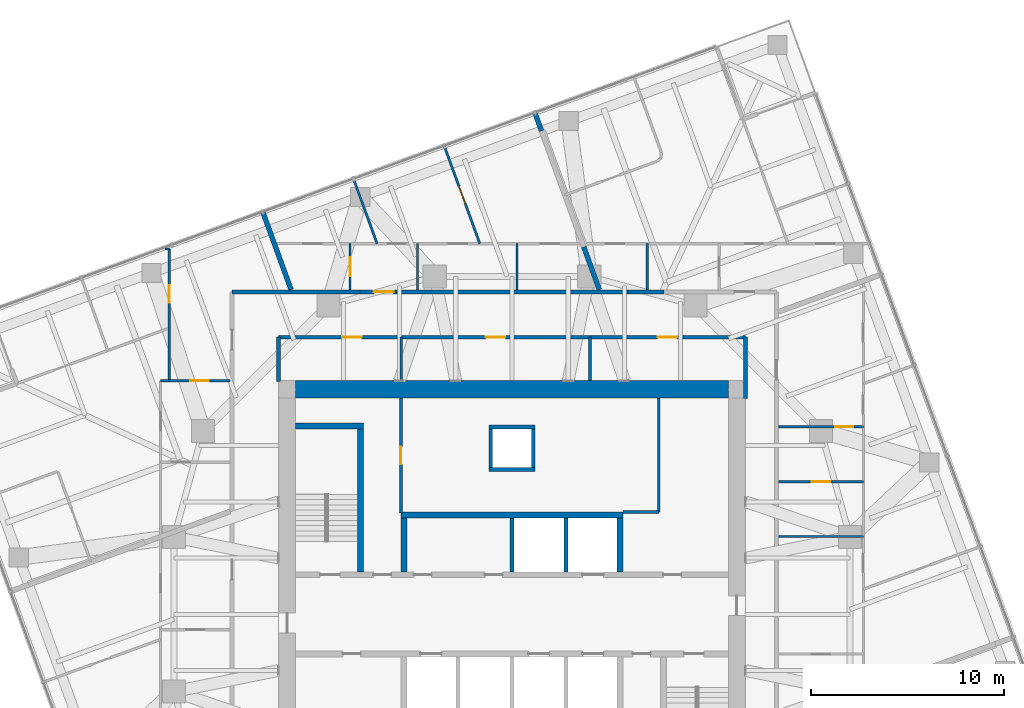
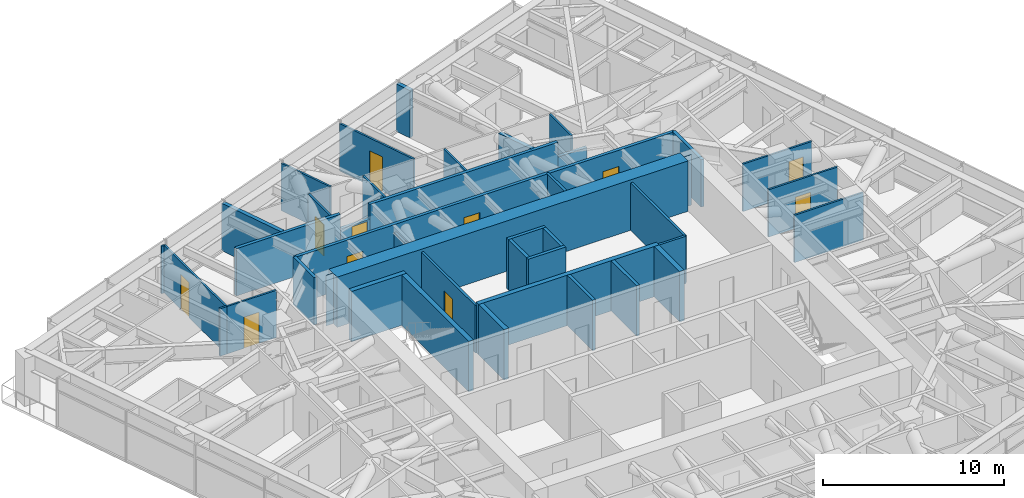
# One storey, part 13 of 16: 40 walls, 11 doors, 11 openings.
"""IFC4 building model written with IfcOpenShell, lengths in metres."""

from ifc_helpers import new_model, si_unit, direction, frame, frame_2d, origin, place, context, subcontext, project, spatial, polyline, rectangle, outline, extrude, material, layer, layer_set, type_object, element, fill, save


model = new_model("IFC4")

# Units and contexts
model_context = context("Model", 3, precision=1e-05, world=origin(), true_north=direction((0.0, 1.0)))
body_context = subcontext(model_context, "Body", "Model", "MODEL_VIEW")
ifc_project = project(units=[si_unit("LENGTHUNIT", "METRE"), si_unit("AREAUNIT", "SQUARE_METRE"), si_unit("VOLUMEUNIT", "CUBIC_METRE"), si_unit("PLANEANGLEUNIT", "RADIAN"), si_unit("MASSUNIT", "GRAM", prefix="KILO")], contexts=[model_context])

# Site, building, storey
site_placement = place(None, origin())
site = spatial("IfcSite", under=ifc_project, at=site_placement, CompositionType="ELEMENT")
building_placement = place(site_placement, origin())
building = spatial("IfcBuilding", under=site, at=building_placement, Name="Torsade Residences", CompositionType="ELEMENT")
storey_placement = place(building_placement, frame((0.0, 0.0, 167.60009765625)))
storey = spatial("IfcBuildingStorey", under=building, at=storey_placement, Name="L46", CompositionType="ELEMENT", Elevation=167.60009765625)

# Walls
ifc_material_1 = material(Name="Concrete 80 MPa", Category="concrete")
ifc_layer_1 = layer(ifc_material_1, 0.300048828125)
ifc_layer_set_1 = layer_set([ifc_layer_1], Name="Concrete 80 MPa")
wall_type_1 = type_object("IfcWallType", Name="CORE INTERNAL WALL 300", PredefinedType="SHEAR", material=ifc_layer_set_1)
wall_1_placement = place(storey_placement, frame((34.25, 35.14990234375, 0.0), z_axis=(0.0, 0.0, 1.0), x_axis=(1.0, 0.0, 0.0)))
element("IfcWall", 1, at=wall_1_placement, inside=storey, type_object=wall_type_1, Name="Core wall BN L46", PredefinedType="SHEAR", context=body_context, shape_type="SweptSolid", body=[
    extrude(rectangle(XDim=11.5, YDim=0.300048828125, at=frame_2d((5.75, 0.0))), origin(), (0.0, 0.0, 1.0), 3.39990234375),
])
for number, where, z_axis, x_axis, name in (
    (2, (34.39990234375, 32.199951171875, 0.0), (0.0, 0.0, 1.0), (0.0, 1.0, 0.0), "Core wall DN0 L46"),
    (3, (45.60009765625, 32.199951171875, 0.0), (0.0, 0.0, 1.0), (0.0, 1.0, 0.0), "Core wall DN4 L46"),
):
    element("IfcWall", number, at=place(storey_placement, frame(where, z_axis=z_axis, x_axis=x_axis)), inside=storey, type_object=wall_type_1, Name=name, PredefinedType="SHEAR", context=body_context, shape_type="SweptSolid", body=[
        extrude(rectangle(XDim=2.800048828125, YDim=0.300048828125, at=frame_2d((1.39990234375, 0.0))), origin(), (0.0, 0.0, 1.0), 3.39990234375),
    ])
wall_2_placement = place(storey_placement, frame((32.14990234375, 32.199951171875, 0.0), z_axis=(0.0, 0.0, 1.0), x_axis=(0.0, 1.0, 0.0)))
element("IfcWall", 4, at=wall_2_placement, inside=storey, type_object=wall_type_1, Name="Core wall ST1E L46", PredefinedType="SHEAR", context=body_context, shape_type="SweptSolid", body=[
    extrude(rectangle(XDim=7.699951171875, YDim=0.300048828125, at=frame_2d((3.85009765625, 0.0))), origin(), (0.0, 0.0, 1.0), 3.39990234375),
])
wall_3_placement = place(storey_placement, frame((28.800048828125, 39.75, 0.0), z_axis=(0.0, 0.0, 1.0), x_axis=(1.0, 0.0, 0.0)))
element("IfcWall", 5, at=wall_3_placement, inside=storey, type_object=wall_type_1, Name="Core wall ST1N L46", PredefinedType="SHEAR", context=body_context, shape_type="SweptSolid", body=[
    extrude(rectangle(XDim=3.5, YDim=0.300048828125, at=frame_2d((1.75, 0.0))), origin(), (0.0, 0.0, 1.0), 3.39990234375),
])
ifc_material_2 = material(Name="Concrete 80 MPa", Category="concrete")
ifc_layer_2 = layer(ifc_material_2, 0.89990234375)
ifc_layer_set_2 = layer_set([ifc_layer_2], Name="Concrete 80 MPa")
wall_type_2 = type_object("IfcWallType", Name="CORE WALL 900", PredefinedType="SHEAR", material=ifc_layer_set_2)
wall_4_placement = place(storey_placement, frame((28.800048828125, 41.64990234375, 0.0), z_axis=(0.0, 0.0, 1.0), x_axis=(1.0, 0.0, 0.0)))
element("IfcWall", 6, at=wall_4_placement, inside=storey, type_object=wall_type_2, Name="Core wall N L46", PredefinedType="SHEAR", context=body_context, shape_type="SweptSolid", body=[
    extrude(outline(polyline([(0.0, -0.449951171875), (22.39990234375, -0.449951171875), (22.39990234375, -0.02490234375), (22.849853515625, -0.02490234375), (22.849853515625, 0.02490234375), (22.39990234375, 0.02490234375), (22.39990234375, 0.449951171875), (0.0, 0.449951171875), (0.0, 0.02490234375), (-0.449951171875, 0.02490234375), (-0.449951171875, -0.02490234375), (0.0, -0.02490234375), (0.0, -0.449951171875)])), origin(), (0.0, 0.0, 1.0), 3.39990234375),
])
ifc_material_3 = material(Name="Plasterboard on steel stud", Category="steel")
ifc_layer_3 = layer(ifc_material_3, 0.199951171875)
ifc_layer_set_3 = layer_set([ifc_layer_3], Name="Plasterboard on steel stud")
wall_type_3 = type_object("IfcWallType", Name="CORRIDOR WALL 200", PredefinedType="PARTITIONING", material=ifc_layer_set_3)
wall_5_placement = place(storey_placement, frame((47.8701171875, 46.699951171875, 0.0), z_axis=(0.0, 0.0, 1.0), x_axis=(-1.0, 0.0, 0.0)))
element("IfcWall", 7, at=wall_5_placement, inside=storey, type_object=wall_type_3, Name="Corridor wall L46", PredefinedType="PARTITIONING", context=body_context, shape_type="SweptSolid", body=[
    extrude(rectangle(XDim=1.87353515625, YDim=0.199951171875, at=frame_2d((0.936767578125, 0.0))), origin(), (0.0, 0.0, 1.0), 2.199951171875),
])
wall_6_placement = place(storey_placement, frame((45.99658203125, 46.699951171875, 0.0), z_axis=(0.0, 0.0, 1.0), x_axis=(-1.0, 0.0, 0.0)))
element("IfcWall", 8, at=wall_6_placement, inside=storey, type_object=wall_type_3, Name="Corridor wall L46", PredefinedType="PARTITIONING", context=body_context, shape_type="SweptSolid", body=[
    extrude(rectangle(XDim=11.9931640625, YDim=0.199951171875, at=frame_2d((5.99658203125, 0.0))), origin(), (0.0, 0.0, 1.0), 3.199951171875),
])

# Wall, opening, door
wall_7_placement = place(storey_placement, frame((34.00341796875, 46.699951171875, 0.0), z_axis=(0.0, 0.0, 1.0), x_axis=(-1.0, 0.0, 0.0)))
wall_7 = element("IfcWall", 9, at=wall_7_placement, inside=storey, type_object=wall_type_3, Name="Corridor wall L46", PredefinedType="PARTITIONING", context=body_context, shape_type="SweptSolid", body=[
    extrude(rectangle(XDim=1.87353515625, YDim=0.199951171875, at=frame_2d((0.936767578125, 0.0))), origin(), (0.0, 0.0, 1.0), 2.199951171875),
])
opening_1_placement = place(wall_7_placement, frame((0.1328125, 0.0, 0.0)))
opening_1 = element("IfcOpeningElement", 10, at=opening_1_placement, cuts=wall_7, Name="Opening D01L", PredefinedType="OPENING", context=body_context, shape_type="SweptSolid", body=[
    extrude(rectangle(XDim=1.02001953125, YDim=2.10009765625, at=frame_2d((0.510009765625, 1.050048828125))), frame((0.0, 0.10986328125, 0.0), z_axis=(0.0, -1.0, 0.0), x_axis=(1.0, 0.0, 0.0)), (0.0, 0.0, 1.0), 0.219970703125),
])
ifc_material_4 = material(Name="Solid-core timber fire door", Category="wood")
door_type_1 = type_object("IfcDoorType", Name="APARTMENT ENTRY DOOR 1020x2100", OperationType="NOTDEFINED", PredefinedType="DOOR", material=ifc_material_4)
door_1_placement = place(opening_1_placement, origin())
door_1 = element("IfcDoor", 11, at=door_1_placement, inside=storey, type_object=door_type_1, Name="Door Residential corridor to Kitchen and dining", OperationType="SINGLE_SWING_RIGHT", OverallHeight=2.10009765625, OverallWidth=1.02001953125, PredefinedType="DOOR", context=body_context, shape_type="SweptSolid", body=[
    extrude(rectangle(XDim=1.02001953125, YDim=2.10009765625, at=frame_2d((0.510009765625, 1.050048828125))), frame((0.0, 0.02490234375, 0.0), z_axis=(0.0, -1.0, 0.0), x_axis=(1.0, 0.0, 0.0)), (0.0, 0.0, 1.0), 0.050048828125),
])
fill(opening_1, door_1)

# Wall
wall_8_placement = place(storey_placement, frame((32.1298828125, 46.699951171875, 0.0), z_axis=(0.0, 0.0, 1.0), x_axis=(-1.0, 0.0, 0.0)))
element("IfcWall", 12, at=wall_8_placement, inside=storey, type_object=wall_type_3, Name="Corridor wall L46", PredefinedType="PARTITIONING", context=body_context, shape_type="SweptSolid", body=[
    extrude(rectangle(XDim=6.6298828125, YDim=0.199951171875, at=frame_2d((3.31494140625, 0.0))), origin(), (0.0, 0.0, 1.0), 3.199951171875),
])

# Wall, openings, doors
wall_9_placement = place(storey_placement, frame((52.10009765625, 44.35009765625, 0.0), z_axis=(0.0, 0.0, 1.0), x_axis=(-1.0, 0.0, 0.0)))
wall_9 = element("IfcWall", 13, at=wall_9_placement, inside=storey, type_object=wall_type_3, Name="Corridor wall L46", PredefinedType="PARTITIONING", context=body_context, shape_type="SweptSolid", body=[
    extrude(rectangle(XDim=24.2001953125, YDim=0.199951171875, at=frame_2d((12.10009765625, 0.0))), origin(), (0.0, 0.0, 1.0), 3.199951171875),
])
opening_2_placement = place(wall_9_placement, frame((12.43701171875, 0.0, 0.0)))
opening_2 = element("IfcOpeningElement", 14, at=opening_2_placement, cuts=wall_9, Name="Opening D03", PredefinedType="OPENING", context=body_context, shape_type="SweptSolid", body=[
    extrude(rectangle(XDim=1.02001953125, YDim=2.10009765625, at=frame_2d((0.510009765625, 1.050048828125))), frame((0.0, 0.10986328125, 0.0), z_axis=(0.0, -1.0, 0.0), x_axis=(1.0, 0.0, 0.0)), (0.0, 0.0, 1.0), 0.219970703125),
])
opening_3_placement = place(wall_9_placement, frame((3.544189453125, 0.0, 0.0)))
opening_3 = element("IfcOpeningElement", 15, at=opening_3_placement, cuts=wall_9, Name="Opening D03", PredefinedType="OPENING", context=body_context, shape_type="SweptSolid", body=[
    extrude(rectangle(XDim=1.02001953125, YDim=2.10009765625, at=frame_2d((0.510009765625, 1.050048828125))), frame((0.0, 0.10986328125, 0.0), z_axis=(0.0, -1.0, 0.0), x_axis=(1.0, 0.0, 0.0)), (0.0, 0.0, 1.0), 0.219970703125),
])
opening_4_placement = place(wall_9_placement, frame((19.8828125, 0.0, 0.0)))
opening_4 = element("IfcOpeningElement", 16, at=opening_4_placement, cuts=wall_9, Name="Opening D03", PredefinedType="OPENING", context=body_context, shape_type="SweptSolid", body=[
    extrude(rectangle(XDim=1.02001953125, YDim=2.10009765625, at=frame_2d((0.510009765625, 1.050048828125))), frame((0.0, 0.10986328125, 0.0), z_axis=(0.0, -1.0, 0.0), x_axis=(1.0, 0.0, 0.0)), (0.0, 0.0, 1.0), 0.219970703125),
])
ifc_material_5 = material(Name="Steel-framed fire door", Category="steel")
door_type_2 = type_object("IfcDoorType", Name="FIRE DOOR 1020", OperationType="NOTDEFINED", PredefinedType="DOOR", material=ifc_material_5)
door_2_placement = place(opening_2_placement, origin())
door_2 = element("IfcDoor", 17, at=door_2_placement, inside=storey, type_object=door_type_2, Name="Door Residential corridor to Cleaner store", OperationType="SINGLE_SWING_LEFT", OverallHeight=2.10009765625, OverallWidth=1.02001953125, PredefinedType="DOOR", context=body_context, shape_type="SweptSolid", body=[
    extrude(rectangle(XDim=1.02001953125, YDim=2.10009765625, at=frame_2d((0.510009765625, 1.050048828125))), frame((0.0, 0.02490234375, 0.0), z_axis=(0.0, -1.0, 0.0), x_axis=(1.0, 0.0, 0.0)), (0.0, 0.0, 1.0), 0.050048828125),
])
fill(opening_2, door_2)
door_3_placement = place(opening_3_placement, origin())
door_3 = element("IfcDoor", 18, at=door_3_placement, inside=storey, type_object=door_type_2, Name="Door Residential corridor to Parcel room", OperationType="SINGLE_SWING_LEFT", OverallHeight=2.10009765625, OverallWidth=1.02001953125, PredefinedType="DOOR", context=body_context, shape_type="SweptSolid", body=[
    extrude(rectangle(XDim=1.02001953125, YDim=2.10009765625, at=frame_2d((0.510009765625, 1.050048828125))), frame((0.0, 0.02490234375, 0.0), z_axis=(0.0, -1.0, 0.0), x_axis=(1.0, 0.0, 0.0)), (0.0, 0.0, 1.0), 0.050048828125),
])
fill(opening_3, door_3)
door_4_placement = place(opening_4_placement, origin())
door_4 = element("IfcDoor", 19, at=door_4_placement, inside=storey, type_object=door_type_2, Name="Door Residential corridor to Residents storage", OperationType="SINGLE_SWING_LEFT", OverallHeight=2.10009765625, OverallWidth=1.02001953125, PredefinedType="DOOR", context=body_context, shape_type="SweptSolid", body=[
    extrude(rectangle(XDim=1.02001953125, YDim=2.10009765625, at=frame_2d((0.510009765625, 1.050048828125))), frame((0.0, 0.02490234375, 0.0), z_axis=(0.0, -1.0, 0.0), x_axis=(1.0, 0.0, 0.0)), (0.0, 0.0, 1.0), 0.050048828125),
])
fill(opening_4, door_4)

# Walls
wall_10_placement = place(storey_placement, frame((27.89990234375, 44.35009765625, 0.0), z_axis=(0.0, 0.0, 1.0), x_axis=(0.0, -1.0, 0.0)))
element("IfcWall", 20, at=wall_10_placement, inside=storey, type_object=wall_type_3, Name="Corridor wall L46", PredefinedType="PARTITIONING", context=body_context, shape_type="SweptSolid", body=[
    extrude(rectangle(XDim=2.300048828125, YDim=0.199951171875, at=frame_2d((1.14990234375, 0.0))), origin(), (0.0, 0.0, 1.0), 3.199951171875),
])
wall_11_placement = place(storey_placement, frame((52.10009765625, 41.179931640625, 0.0), z_axis=(0.0, 0.0, 1.0), x_axis=(0.0, 1.0, 0.0)))
element("IfcWall", 21, at=wall_11_placement, inside=storey, type_object=wall_type_3, Name="Corridor wall L46", PredefinedType="PARTITIONING", context=body_context, shape_type="SweptSolid", body=[
    extrude(rectangle(XDim=3.170166015625, YDim=0.199951171875, at=frame_2d((1.5849609375, 0.0))), origin(), (0.0, 0.0, 1.0), 3.199951171875),
])
ifc_material_6 = material(Name="Reinforced blockwork", Category="masonry")
ifc_layer_4 = layer(ifc_material_6, 0.199951171875)
ifc_layer_set_4 = layer_set([ifc_layer_4], Name="Reinforced blockwork")
wall_type_4 = type_object("IfcWallType", Name="LIFT SHAFT DIVIDING WALL 200", PredefinedType="SOLIDWALL", material=ifc_layer_set_4)
for number, where, z_axis, x_axis, name in (
    (22, (40.0, 32.199951171875, 0.0), (0.0, 0.0, 1.0), (0.0, 1.0, 0.0), "Core wall DN2 L46"),
    (23, (42.800048828125, 32.199951171875, 0.0), (0.0, 0.0, 1.0), (0.0, 1.0, 0.0), "Core wall DN3 L46"),
):
    element("IfcWall", number, at=place(storey_placement, frame(where, z_axis=z_axis, x_axis=x_axis)), inside=storey, type_object=wall_type_4, Name=name, PredefinedType="SOLIDWALL", context=body_context, shape_type="SweptSolid", body=[
        extrude(rectangle(XDim=2.800048828125, YDim=0.199951171875, at=frame_2d((1.39990234375, 0.0))), origin(), (0.0, 0.0, 1.0), 3.39990234375),
    ])

# Wall, opening, door
ifc_material_7 = material(Name="Plasterboard on steel stud", Category="steel")
ifc_layer_5 = layer(ifc_material_7, 0.1201171875)
ifc_layer_set_5 = layer_set([ifc_layer_5], Name="Plasterboard on steel stud")
wall_type_5 = type_object("IfcWallType", Name="PARTITION 120", PredefinedType="PARTITIONING", material=ifc_layer_set_5)
wall_12_placement = place(storey_placement, frame((58.199951171875, 39.713134765625, 0.0), z_axis=(0.0, 0.0, 1.0), x_axis=(-1.0, 0.0, 0.0)))
wall_12 = element("IfcWall", 24, at=wall_12_placement, inside=storey, type_object=wall_type_5, Name="Partition L46", PredefinedType="PARTITIONING", context=body_context, shape_type="SweptSolid", body=[
    extrude(rectangle(XDim=4.39990234375, YDim=0.1201171875, at=frame_2d((2.199951171875, 0.0))), origin(), (0.0, 0.0, 1.0), 3.199951171875),
])
opening_5_placement = place(wall_12_placement, frame((0.5400390625, 0.0, 0.0)))
opening_5 = element("IfcOpeningElement", 25, at=opening_5_placement, cuts=wall_12, Name="Opening D02", PredefinedType="OPENING", context=body_context, shape_type="SweptSolid", body=[
    extrude(rectangle(XDim=0.919921875, YDim=2.340087890625, at=frame_2d((0.4599609375, 1.169921875))), frame((0.0, 0.070068359375, 0.0), z_axis=(0.0, -1.0, 0.0), x_axis=(1.0, 0.0, 0.0)), (0.0, 0.0, 1.0), 0.14013671875),
])
ifc_material_8 = material(Name="Hollow-core timber door", Category="wood")
door_type_3 = type_object("IfcDoorType", Name="INTERNAL DOOR 920x2340", OperationType="NOTDEFINED", PredefinedType="DOOR", material=ifc_material_8)
door_5_placement = place(opening_5_placement, origin())
door_5 = element("IfcDoor", 26, at=door_5_placement, inside=storey, type_object=door_type_3, Name="Door Kitchen and dining to Dressing room", OperationType="SINGLE_SWING_RIGHT", OverallHeight=2.340087890625, OverallWidth=0.919921875, PredefinedType="DOOR", context=body_context, shape_type="SweptSolid", body=[
    extrude(rectangle(XDim=0.919921875, YDim=2.340087890625, at=frame_2d((0.4599609375, 1.169921875))), frame((0.0, 0.02490234375, 0.0), z_axis=(0.0, -1.0, 0.0), x_axis=(1.0, 0.0, 0.0)), (0.0, 0.0, 1.0), 0.050048828125),
])
fill(opening_5, door_5)

wall_13_placement = place(storey_placement, frame((53.800048828125, 36.869873046875, 0.0), z_axis=(0.0, 0.0, 1.0), x_axis=(1.0, 0.0, 0.0)))
wall_13 = element("IfcWall", 27, at=wall_13_placement, inside=storey, type_object=wall_type_5, Name="Partition L46", PredefinedType="PARTITIONING", context=body_context, shape_type="SweptSolid", body=[
    extrude(rectangle(XDim=4.39990234375, YDim=0.1201171875, at=frame_2d((2.199951171875, 0.0))), origin(), (0.0, 0.0, 1.0), 3.199951171875),
])
opening_6_placement = place(wall_13_placement, frame((1.719970703125, 0.0, 0.0)))
opening_6 = element("IfcOpeningElement", 28, at=opening_6_placement, cuts=wall_13, Name="Opening D05", PredefinedType="OPENING", context=body_context, shape_type="SweptSolid", body=[
    extrude(rectangle(XDim=0.9599609375, YDim=2.10009765625, at=frame_2d((0.47998046875, 1.050048828125))), frame((0.0, 0.070068359375, 0.0), z_axis=(0.0, -1.0, 0.0), x_axis=(1.0, 0.0, 0.0)), (0.0, 0.0, 1.0), 0.14013671875),
])
ifc_material_9 = material(Name="Hollow-core timber door in a steel cavity frame", Category="steel")
door_type_4 = type_object("IfcDoorType", Name="BATHROOM CAVITY SLIDING DOOR 960", OperationType="SLIDING_TO_LEFT", PredefinedType="DOOR", material=ifc_material_9)
door_6_placement = place(opening_6_placement, origin())
door_6 = element("IfcDoor", 29, at=door_6_placement, inside=storey, type_object=door_type_4, Name="Door Dressing room to Bathroom", OperationType="SLIDING_TO_LEFT", OverallHeight=2.10009765625, OverallWidth=0.9599609375, PredefinedType="DOOR", context=body_context, shape_type="SweptSolid", body=[
    extrude(rectangle(XDim=0.9599609375, YDim=2.10009765625, at=frame_2d((0.47998046875, 1.050048828125))), frame((0.0, 0.02490234375, 0.0), z_axis=(0.0, -1.0, 0.0), x_axis=(1.0, 0.0, 0.0)), (0.0, 0.0, 1.0), 0.050048828125),
])
fill(opening_6, door_6)

# Walls
wall_14_placement = place(storey_placement, frame((58.199951171875, 34.026611328125, 0.0), z_axis=(0.0, 0.0, 1.0), x_axis=(-1.0, 0.0, 0.0)))
element("IfcWall", 30, at=wall_14_placement, inside=storey, type_object=wall_type_5, Name="Partition L46", PredefinedType="PARTITIONING", context=body_context, shape_type="SweptSolid", body=[
    extrude(rectangle(XDim=4.39990234375, YDim=0.1201171875, at=frame_2d((2.199951171875, 0.0))), origin(), (0.0, 0.0, 1.0), 3.199951171875),
])
for number, where, z_axis, x_axis, name in (
    (31, (47.0048828125, 46.800048828125, 0.0), (0.0, 0.0, 1.0), (0.0, 1.0, 0.0), "Partition L46"),
    (32, (35.10791015625, 49.199951171875, 0.0), (0.0, 0.0, 1.0), (0.0, -1.0, 0.0), "Partition L46"),
):
    element("IfcWall", number, at=place(storey_placement, frame(where, z_axis=z_axis, x_axis=x_axis)), inside=storey, type_object=wall_type_5, Name=name, PredefinedType="PARTITIONING", context=body_context, shape_type="SweptSolid", body=[
        extrude(rectangle(XDim=2.39990234375, YDim=0.1201171875, at=frame_2d((1.199951171875, 0.0))), origin(), (0.0, 0.0, 1.0), 3.199951171875),
    ])

# Wall, opening, door
wall_15_placement = place(storey_placement, frame((31.61328125, 46.800048828125, 0.0), z_axis=(0.0, 0.0, 1.0), x_axis=(0.0, 1.0, 0.0)))
wall_15 = element("IfcWall", 33, at=wall_15_placement, inside=storey, type_object=wall_type_5, Name="Partition L46", PredefinedType="PARTITIONING", context=body_context, shape_type="SweptSolid", body=[
    extrude(rectangle(XDim=2.39990234375, YDim=0.1201171875, at=frame_2d((1.199951171875, 0.0))), origin(), (0.0, 0.0, 1.0), 3.199951171875),
])
opening_7_placement = place(wall_15_placement, frame((0.719970703125, 0.0, 0.0)))
opening_7 = element("IfcOpeningElement", 34, at=opening_7_placement, cuts=wall_15, Name="Opening D05", PredefinedType="OPENING", context=body_context, shape_type="SweptSolid", body=[
    extrude(rectangle(XDim=0.9599609375, YDim=2.10009765625, at=frame_2d((0.47998046875, 1.050048828125))), frame((0.0, 0.070068359375, 0.0), z_axis=(0.0, -1.0, 0.0), x_axis=(1.0, 0.0, 0.0)), (0.0, 0.0, 1.0), 0.14013671875),
])
door_7_placement = place(opening_7_placement, origin())
door_7 = element("IfcDoor", 35, at=door_7_placement, inside=storey, type_object=door_type_4, Name="Door Kitchen and dining to WC", OperationType="SLIDING_TO_LEFT", OverallHeight=2.10009765625, OverallWidth=0.9599609375, PredefinedType="DOOR", context=body_context, shape_type="SweptSolid", body=[
    extrude(rectangle(XDim=0.9599609375, YDim=2.10009765625, at=frame_2d((0.47998046875, 1.050048828125))), frame((0.0, 0.02490234375, 0.0), z_axis=(0.0, -1.0, 0.0), x_axis=(1.0, 0.0, 0.0)), (0.0, 0.0, 1.0), 0.050048828125),
])
fill(opening_7, door_7)

# Wall
wall_16_placement = place(storey_placement, frame((40.263427734375, 49.199951171875, 0.0), z_axis=(0.0, 0.0, 1.0), x_axis=(0.0, -1.0, 0.0)))
element("IfcWall", 36, at=wall_16_placement, inside=storey, type_object=wall_type_5, Name="Partition L46", PredefinedType="PARTITIONING", context=body_context, shape_type="SweptSolid", body=[
    extrude(rectangle(XDim=2.39990234375, YDim=0.1201171875, at=frame_2d((1.199951171875, 0.0))), origin(), (0.0, 0.0, 1.0), 3.199951171875),
])

# Wall, opening, door
wall_17_placement = place(storey_placement, frame((38.33251953125, 49.199951171875, 0.0), z_axis=(0.0, 0.0, 1.0), x_axis=(-0.341995981916, 0.939701414468, 0.0)))
wall_17 = element("IfcWall", 37, at=wall_17_placement, inside=storey, type_object=wall_type_5, Name="Partition L46", PredefinedType="PARTITIONING", context=body_context, shape_type="SweptSolid", body=[
    extrude(rectangle(XDim=5.34765625, YDim=0.1201171875, at=frame_2d((2.673828125, 0.0))), origin(), (0.0, 0.0, 1.0), 3.199951171875),
])
opening_8_placement = place(wall_17_placement, frame((2.23388671875, 0.0, 0.0)))
opening_8 = element("IfcOpeningElement", 38, at=opening_8_placement, cuts=wall_17, Name="Opening D02", PredefinedType="OPENING", context=body_context, shape_type="SweptSolid", body=[
    extrude(rectangle(XDim=0.919921875, YDim=2.340087890625, at=frame_2d((0.4599609375, 1.169921875))), frame((0.0, 0.070068359375, 0.0), z_axis=(0.0, -1.0, 0.0), x_axis=(1.0, 0.0, 0.0)), (0.0, 0.0, 1.0), 0.14013671875),
])
door_8_placement = place(opening_8_placement, origin())
door_8 = element("IfcDoor", 39, at=door_8_placement, inside=storey, type_object=door_type_3, Name="Door Bedroom 1 to Living room", OperationType="SINGLE_SWING_LEFT", OverallHeight=2.340087890625, OverallWidth=0.919921875, PredefinedType="DOOR", context=body_context, shape_type="SweptSolid", body=[
    extrude(rectangle(XDim=0.919921875, YDim=2.340087890625, at=frame_2d((0.4599609375, 1.169921875))), frame((0.0, 0.02490234375, 0.0), z_axis=(0.0, -1.0, 0.0), x_axis=(1.0, 0.0, 0.0)), (0.0, 0.0, 1.0), 0.050048828125),
])
fill(opening_8, door_8)

# Wall
wall_18_placement = place(storey_placement, frame((33.01171875, 49.199951171875, 0.0), z_axis=(0.0, 0.0, 1.0), x_axis=(-0.341998645001, 0.939700445258, 0.0)))
element("IfcWall", 40, at=wall_18_placement, inside=storey, type_object=wall_type_5, Name="Partition L46", PredefinedType="PARTITIONING", context=body_context, shape_type="SweptSolid", body=[
    extrude(rectangle(XDim=3.52783203125, YDim=0.1201171875, at=frame_2d((1.763916015625, 0.0))), origin(), (0.0, 0.0, 1.0), 3.199951171875),
])

# Wall, opening, door
wall_19_placement = place(storey_placement, frame((25.39990234375, 42.090576171875, 0.0), z_axis=(0.0, 0.0, 1.0), x_axis=(-1.0, 0.0, 0.0)))
wall_19 = element("IfcWall", 41, at=wall_19_placement, inside=storey, type_object=wall_type_5, Name="Partition L46", PredefinedType="PARTITIONING", context=body_context, shape_type="SweptSolid", body=[
    extrude(rectangle(XDim=3.14990234375, YDim=0.1201171875, at=frame_2d((1.574951171875, 0.0))), origin(), (0.0, 0.0, 1.0), 3.199951171875),
])
opening_9_placement = place(wall_19_placement, frame((1.094970703125, 0.0, 0.0)))
opening_9 = element("IfcOpeningElement", 42, at=opening_9_placement, cuts=wall_19, Name="Opening D05", PredefinedType="OPENING", context=body_context, shape_type="SweptSolid", body=[
    extrude(rectangle(XDim=0.9599609375, YDim=2.10009765625, at=frame_2d((0.47998046875, 1.050048828125))), frame((0.0, 0.070068359375, 0.0), z_axis=(0.0, -1.0, 0.0), x_axis=(1.0, 0.0, 0.0)), (0.0, 0.0, 1.0), 0.14013671875),
])
door_9_placement = place(opening_9_placement, origin())
door_9 = element("IfcDoor", 43, at=door_9_placement, inside=storey, type_object=door_type_4, Name="Door Kitchen and dining to Bathroom", OperationType="SLIDING_TO_LEFT", OverallHeight=2.10009765625, OverallWidth=0.9599609375, PredefinedType="DOOR", context=body_context, shape_type="SweptSolid", body=[
    extrude(rectangle(XDim=0.9599609375, YDim=2.10009765625, at=frame_2d((0.47998046875, 1.050048828125))), frame((0.0, 0.02490234375, 0.0), z_axis=(0.0, -1.0, 0.0), x_axis=(1.0, 0.0, 0.0)), (0.0, 0.0, 1.0), 0.050048828125),
])
fill(opening_9, door_9)

wall_20_placement = place(storey_placement, frame((22.25, 42.090576171875, 0.0), z_axis=(0.0, 0.0, 1.0), x_axis=(0.0, 1.0, 0.0)))
wall_20 = element("IfcWall", 44, at=wall_20_placement, inside=storey, type_object=wall_type_5, Name="Partition L46", PredefinedType="PARTITIONING", context=body_context, shape_type="SweptSolid", body=[
    extrude(rectangle(XDim=6.825439453125, YDim=0.1201171875, at=frame_2d((3.41259765625, 0.0))), origin(), (0.0, 0.0, 1.0), 3.199951171875),
])
opening_10_placement = place(wall_20_placement, frame((4.03564453125, 0.0, 0.0)))
opening_10 = element("IfcOpeningElement", 45, at=opening_10_placement, cuts=wall_20, Name="Opening D02", PredefinedType="OPENING", context=body_context, shape_type="SweptSolid", body=[
    extrude(rectangle(XDim=0.919921875, YDim=2.340087890625, at=frame_2d((0.4599609375, 1.169921875))), frame((0.0, 0.070068359375, 0.0), z_axis=(0.0, -1.0, 0.0), x_axis=(1.0, 0.0, 0.0)), (0.0, 0.0, 1.0), 0.14013671875),
])
door_10_placement = place(opening_10_placement, origin())
door_10 = element("IfcDoor", 46, at=door_10_placement, inside=storey, type_object=door_type_3, Name="Door Kitchen and dining to Bedroom 3", OperationType="SINGLE_SWING_LEFT", OverallHeight=2.340087890625, OverallWidth=0.919921875, PredefinedType="DOOR", context=body_context, shape_type="SweptSolid", body=[
    extrude(rectangle(XDim=0.919921875, YDim=2.340087890625, at=frame_2d((0.4599609375, 1.169921875))), frame((0.0, 0.02490234375, 0.0), z_axis=(0.0, -1.0, 0.0), x_axis=(1.0, 0.0, 0.0)), (0.0, 0.0, 1.0), 0.050048828125),
])
fill(opening_10, door_10)

# Walls
wall_21_placement = place(storey_placement, frame((22.25, 48.916015625, 0.0), z_axis=(0.0, 0.0, 1.0), x_axis=(-1.0, 0.0, 0.0)))
element("IfcWall", 47, at=wall_21_placement, inside=storey, type_object=wall_type_5, Name="Partition L46", PredefinedType="PARTITIONING", context=body_context, shape_type="SweptSolid", body=[
    extrude(rectangle(XDim=0.22509765625, YDim=0.1201171875, at=frame_2d((0.112548828125, 0.0))), origin(), (0.0, 0.0, 1.0), 3.199951171875),
])
wall_22_placement = place(storey_placement, frame((21.800048828125, 42.090576171875, 0.0), z_axis=(0.0, 0.0, 1.0), x_axis=(1.0, 0.0, 0.0)))
element("IfcWall", 48, at=wall_22_placement, inside=storey, type_object=wall_type_5, Name="Partition L46", PredefinedType="PARTITIONING", context=body_context, shape_type="SweptSolid", body=[
    extrude(rectangle(XDim=0.449951171875, YDim=0.1201171875, at=frame_2d((0.22509765625, 0.0))), origin(), (0.0, 0.0, 1.0), 3.199951171875),
])
ifc_material_10 = material(Name="Masonry-lined stud party wall", Category="masonry")
ifc_layer_6 = layer(ifc_material_10, 0.25)
ifc_layer_set_6 = layer_set([ifc_layer_6], Name="Masonry-lined stud party wall")
wall_type_6 = type_object("IfcWallType", Name="PARTY WALL 250", PredefinedType="PARTITIONING", material=ifc_layer_set_6)
wall_23_placement = place(storey_placement, frame((41.1884765625, 55.972900390625, 0.0), z_axis=(0.0, 0.0, 1.0), x_axis=(0.342037080957, -0.939686455819, 0.0)))
element("IfcWall", 49, at=wall_23_placement, inside=storey, type_object=wall_type_6, Name="Party wall L46", PredefinedType="PARTITIONING", context=body_context, shape_type="SweptSolid", body=[
    extrude(rectangle(XDim=1.0, YDim=0.25, at=frame_2d((0.5, 0.0))), origin(), (0.0, 0.0, 1.0), 3.199951171875),
])
wall_24_placement = place(storey_placement, frame((43.716796875, 49.02587890625, 0.0), z_axis=(0.0, 0.0, 1.0), x_axis=(0.342049950026, -0.939681771499, 0.0)))
element("IfcWall", 50, at=wall_24_placement, inside=storey, type_object=wall_type_6, Name="Party wall L46", PredefinedType="PARTITIONING", context=body_context, shape_type="SweptSolid", body=[
    extrude(rectangle(XDim=2.36328125, YDim=0.25, at=frame_2d((1.181640625, 0.0))), origin(), (0.0, 0.0, 1.0), 3.199951171875),
])
wall_25_placement = place(storey_placement, frame((27.093017578125, 50.842529296875, 0.0), z_axis=(0.0, 0.0, 1.0), x_axis=(0.3420213594, -0.93969217817, 0.0)))
element("IfcWall", 51, at=wall_25_placement, inside=storey, type_object=wall_type_6, Name="Party wall L46", PredefinedType="PARTITIONING", context=body_context, shape_type="SweptSolid", body=[
    extrude(rectangle(XDim=4.29638671875, YDim=0.25, at=frame_2d((2.148193359375, 0.0))), origin(), (0.0, 0.0, 1.0), 3.199951171875),
])
ifc_material_11 = material(Name="Reinforced blockwork", Category="masonry")
ifc_layer_7 = layer(ifc_material_11, 0.199951171875)
ifc_layer_set_7 = layer_set([ifc_layer_7], Name="Reinforced blockwork")
wall_type_7 = type_object("IfcWallType", Name="RISER SHAFT WALL 200", PredefinedType="SOLIDWALL", material=ifc_layer_set_7)
for number, where, z_axis, x_axis, name in (
    (52, (38.89990234375, 37.60009765625, 0.0), (0.0, 0.0, 1.0), (0.0, 1.0, 0.0), "Core wall RS1a L46"),
    (53, (41.10009765625, 37.60009765625, 0.0), (0.0, 0.0, 1.0), (0.0, 1.0, 0.0), "Core wall RS1b L46"),
):
    element("IfcWall", number, at=place(storey_placement, frame(where, z_axis=z_axis, x_axis=x_axis)), inside=storey, type_object=wall_type_7, Name=name, PredefinedType="SOLIDWALL", context=body_context, shape_type="SweptSolid", body=[
        extrude(rectangle(XDim=2.0, YDim=0.199951171875, at=frame_2d((1.0, 0.0))), origin(), (0.0, 0.0, 1.0), 3.39990234375),
    ])
for number, where, z_axis, x_axis, name in (
    (54, (38.800048828125, 37.5, 0.0), (0.0, 0.0, 1.0), (1.0, 0.0, 0.0), "Core wall RS1c L46"),
    (55, (38.800048828125, 39.699951171875, 0.0), (0.0, 0.0, 1.0), (1.0, 0.0, 0.0), "Core wall RS1d L46"),
):
    element("IfcWall", number, at=place(storey_placement, frame(where, z_axis=z_axis, x_axis=x_axis)), inside=storey, type_object=wall_type_7, Name=name, PredefinedType="SOLIDWALL", context=body_context, shape_type="SweptSolid", body=[
        extrude(rectangle(XDim=2.39990234375, YDim=0.199951171875, at=frame_2d((1.199951171875, 0.0))), origin(), (0.0, 0.0, 1.0), 3.39990234375),
    ])

# Wall, opening, door
ifc_material_12 = material(Name="Reinforced blockwork", Category="masonry")
ifc_layer_8 = layer(ifc_material_12, 0.14990234375)
ifc_layer_set_8 = layer_set([ifc_layer_8], Name="Reinforced blockwork")
wall_type_8 = type_object("IfcWallType", Name="SERVICE ROOM WALL 150", PredefinedType="SOLIDWALL", material=ifc_layer_set_8)
wall_26_placement = place(storey_placement, frame((34.25, 41.199951171875, 0.0), z_axis=(0.0, 0.0, 1.0), x_axis=(0.0, -1.0, 0.0)))
wall_26 = element("IfcWall", 56, at=wall_26_placement, inside=storey, type_object=wall_type_8, Name="Service room wall L46", PredefinedType="SOLIDWALL", context=body_context, shape_type="SweptSolid", body=[
    extrude(rectangle(XDim=5.949951171875, YDim=0.14990234375, at=frame_2d((2.97509765625, 0.0))), origin(), (0.0, 0.0, 1.0), 3.199951171875),
])
opening_11_placement = place(wall_26_placement, frame((2.514892578125, 0.0, 0.0)))
opening_11 = element("IfcOpeningElement", 57, at=opening_11_placement, cuts=wall_26, Name="Opening D06", PredefinedType="OPENING", context=body_context, shape_type="SweptSolid", body=[
    extrude(rectangle(XDim=0.919921875, YDim=2.10009765625, at=frame_2d((0.4599609375, 1.050048828125))), frame((0.0, 0.0849609375, 0.0), z_axis=(0.0, -1.0, 0.0), x_axis=(1.0, 0.0, 0.0)), (0.0, 0.0, 1.0), 0.169921875),
])
ifc_material_13 = material(Name="Steel-framed fire door", Category="steel")
door_type_5 = type_object("IfcDoorType", Name="FIRE DOOR 920", OperationType="NOTDEFINED", PredefinedType="DOOR", material=ifc_material_13)
door_11_placement = place(opening_11_placement, origin())
door_11 = element("IfcDoor", 58, at=door_11_placement, inside=storey, type_object=door_type_5, Name="Door Meter store to Electrical riser room", OperationType="SINGLE_SWING_RIGHT", OverallHeight=2.10009765625, OverallWidth=0.919921875, PredefinedType="DOOR", context=body_context, shape_type="SweptSolid", body=[
    extrude(rectangle(XDim=0.919921875, YDim=2.10009765625, at=frame_2d((0.4599609375, 1.050048828125))), frame((0.0, 0.02490234375, 0.0), z_axis=(0.0, -1.0, 0.0), x_axis=(1.0, 0.0, 0.0)), (0.0, 0.0, 1.0), 0.050048828125),
])
fill(opening_11, door_11)

# Walls
wall_27_placement = place(storey_placement, frame((47.60009765625, 41.199951171875, 0.0), z_axis=(0.0, 0.0, 1.0), x_axis=(0.0, -1.0, 0.0)))
element("IfcWall", 59, at=wall_27_placement, inside=storey, type_object=wall_type_8, Name="Service room wall L46", PredefinedType="SOLIDWALL", context=body_context, shape_type="SweptSolid", body=[
    extrude(rectangle(XDim=5.89990234375, YDim=0.14990234375, at=frame_2d((2.949951171875, 0.0))), origin(), (0.0, 0.0, 1.0), 3.199951171875),
])
wall_28_placement = place(storey_placement, frame((47.60009765625, 35.300048828125, 0.0), z_axis=(0.0, 0.0, 1.0), x_axis=(-1.0, 0.0, 0.0)))
element("IfcWall", 60, at=wall_28_placement, inside=storey, type_object=wall_type_8, Name="Service room wall L46", PredefinedType="SOLIDWALL", context=body_context, shape_type="SweptSolid", body=[
    extrude(rectangle(XDim=1.85009765625, YDim=0.14990234375, at=frame_2d((0.925048828125, 0.0))), origin(), (0.0, 0.0, 1.0), 3.199951171875),
])
wall_29_placement = place(storey_placement, frame((34.2646484375, 42.10009765625, 0.0), z_axis=(0.0, 0.0, 1.0), x_axis=(0.0, 1.0, 0.0)))
element("IfcWall", 61, at=wall_29_placement, inside=storey, type_object=wall_type_8, Name="Service room wall L46", PredefinedType="SOLIDWALL", context=body_context, shape_type="SweptSolid", body=[
    extrude(rectangle(XDim=2.25, YDim=0.14990234375, at=frame_2d((1.125, 0.0))), origin(), (0.0, 0.0, 1.0), 2.671875),
])
wall_30_placement = place(storey_placement, frame((44.04150390625, 42.10009765625, 0.0), z_axis=(0.0, 0.0, 1.0), x_axis=(0.0, 1.0, 0.0)))
element("IfcWall", 62, at=wall_30_placement, inside=storey, type_object=wall_type_8, Name="Service room wall L46", PredefinedType="SOLIDWALL", context=body_context, shape_type="SweptSolid", body=[
    extrude(rectangle(XDim=2.25, YDim=0.14990234375, at=frame_2d((1.125, 0.0))), origin(), (0.0, 0.0, 1.0), 3.199951171875),
])

save(model, "model.ifc")
